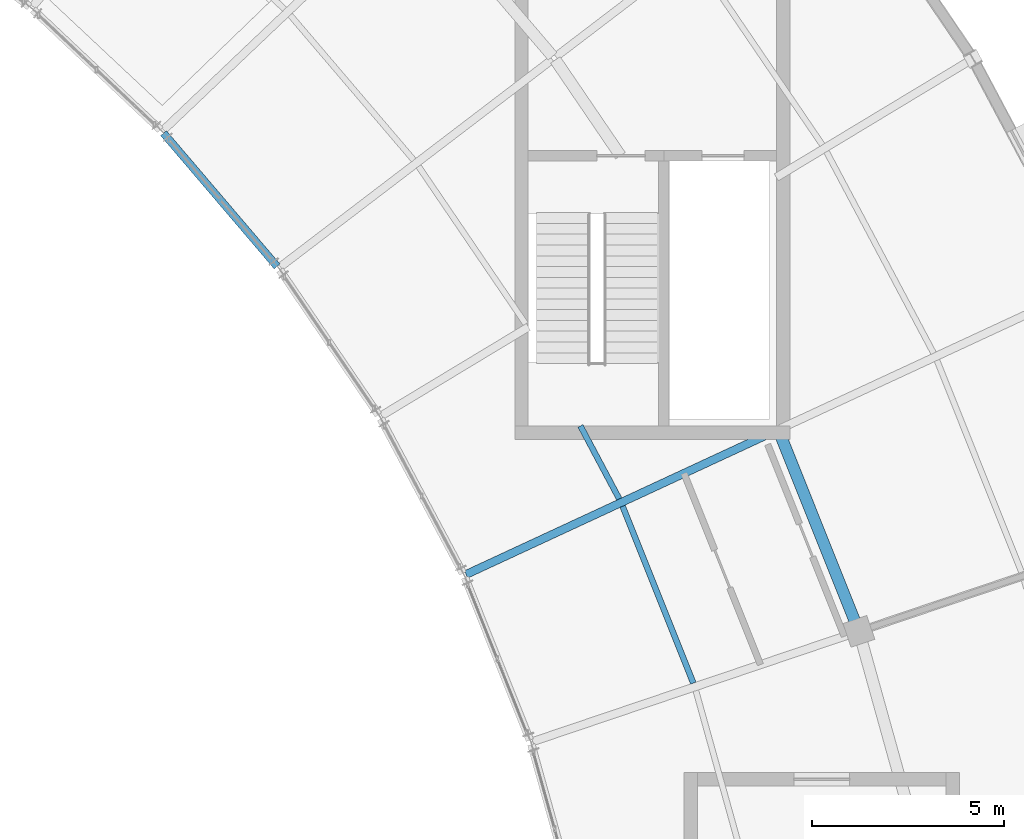
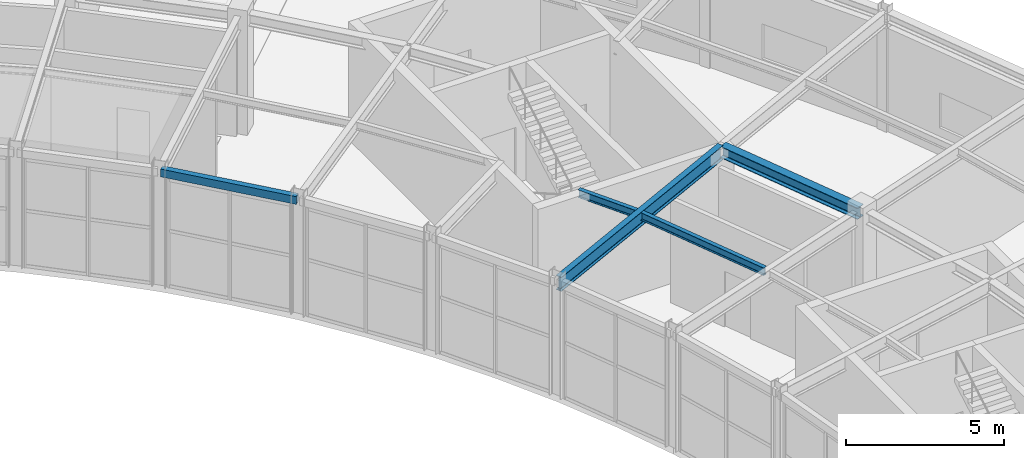
# One storey, part 73 of 108: 5 beams.
"""IFC4 building model written with IfcOpenShell, lengths in metres."""

from ifc_helpers import new_model, si_unit, direction, frame, origin, origin_2d, place, context, subcontext, project, spatial, hollow_rectangle, i_section, extrude, material, material_profile, profile_set, type_object, element, save


model = new_model("IFC4")

# Units and contexts
model_context = context("Model", 3, precision=1e-05, world=origin(), true_north=direction((0.0, 1.0)))
body_context = subcontext(model_context, "Body", "Model", "MODEL_VIEW")
ifc_project = project(units=[si_unit("LENGTHUNIT", "METRE"), si_unit("AREAUNIT", "SQUARE_METRE"), si_unit("VOLUMEUNIT", "CUBIC_METRE"), si_unit("PLANEANGLEUNIT", "RADIAN"), si_unit("MASSUNIT", "GRAM", prefix="KILO")], contexts=[model_context])

# Site, building, storey
site_placement = place(None, origin())
site = spatial("IfcSite", under=ifc_project, at=site_placement, CompositionType="ELEMENT")
building_placement = place(site_placement, origin())
building = spatial("IfcBuilding", under=site, at=building_placement, Name="Tarnveldt Headland Concert Hall", CompositionType="ELEMENT")
storey_placement = place(building_placement, frame((0.0, 0.0, 9.60009765625)))
storey = spatial("IfcBuildingStorey", under=building, at=storey_placement, Name="L02", CompositionType="ELEMENT", Elevation=9.60009765625)

# Beams
ifc_material = material(Name="Steel S355", Category="steel")
ifc_material_profile_1 = material_profile(ifc_material, i_section(OverallWidth=0.300048828125, OverallDepth=0.43994140625, WebThickness=0.011474609375, FlangeThickness=0.02099609375, FilletRadius=0.027099609375, at=origin_2d()), Name="HEA450", Category="steel")
ifc_profile_set_1 = profile_set([ifc_material_profile_1], Name="Steel S355")
beam_type_1 = type_object("IfcBeamType", Name="SB-HEA450", PredefinedType="BEAM", material=ifc_profile_set_1)
beam_1_placement = place(storey_placement, frame((166.7421875, 76.698974609375, 4.329833984375), z_axis=(-0.370963937019, 0.928647272882, 0.0), x_axis=(-0.928647272882, -0.370963937019, 0.0)))
element("IfcBeam", 1, at=beam_1_placement, inside=storey, type_object=beam_type_1, Name="Framing beam L02-1126", PredefinedType="BEAM", context=body_context, shape_type="SweptSolid", body=[
    extrude(i_section(OverallWidth=0.300048828125, OverallDepth=0.43994140625, WebThickness=0.011474609375, FlangeThickness=0.02099609375, FilletRadius=0.027099609375, at=origin_2d()), origin(), (0.0, 0.0, 1.0), 5.5244140625),
])
ifc_material_profile_2 = material_profile(ifc_material, i_section(OverallWidth=0.14990234375, OverallDepth=0.300048828125, WebThickness=0.007080078125, FlangeThickness=0.0107421875, FilletRadius=0.014892578125, at=origin_2d()), Name="IPE300", Category="steel")
ifc_profile_set_2 = profile_set([ifc_material_profile_2], Name="Steel S355")
beam_type_2 = type_object("IfcBeamType", Name="SB-IPE300", PredefinedType="JOIST", material=ifc_profile_set_2)
beam_2_placement = place(storey_placement, frame((162.46240234375, 75.30029296875, 4.39990234375), z_axis=(-0.370999157562, 0.928633202663, 0.0), x_axis=(-0.928633202663, -0.370999157562, 0.0)))
element("IfcBeam", 2, at=beam_2_placement, inside=storey, type_object=beam_type_2, Name="Framing beam L02-1128", PredefinedType="JOIST", context=body_context, shape_type="SweptSolid", body=[
    extrude(i_section(OverallWidth=0.14990234375, OverallDepth=0.300048828125, WebThickness=0.007080078125, FlangeThickness=0.0107421875, FilletRadius=0.014892578125, at=origin_2d()), origin(), (0.0, 0.0, 1.0), 4.946044921875),
])
beam_3_placement = place(storey_placement, frame((160.539306640625, 80.08349609375, 4.39990234375), z_axis=(-0.469531916637, 0.882915499501, 0.0), x_axis=(-0.882915499501, -0.469531916637, 0.0)))
element("IfcBeam", 3, at=beam_3_placement, inside=storey, type_object=beam_type_2, Name="Framing beam L02-1134", PredefinedType="JOIST", context=body_context, shape_type="SweptSolid", body=[
    extrude(i_section(OverallWidth=0.14990234375, OverallDepth=0.300048828125, WebThickness=0.007080078125, FlangeThickness=0.0107421875, FilletRadius=0.014892578125, at=origin_2d()), origin(), (0.0, 0.0, 1.0), 2.14794921875),
])
ifc_material_profile_3 = material_profile(ifc_material, i_section(OverallWidth=0.2099609375, OverallDepth=0.550048828125, WebThickness=0.010986328125, FlangeThickness=0.01708984375, FilletRadius=0.02392578125, at=origin_2d()), Name="IPE550", Category="steel")
ifc_profile_set_3 = profile_set([ifc_material_profile_3], Name="Steel S355")
beam_type_3 = type_object("IfcBeamType", Name="SB-IPE550", PredefinedType="BEAM", material=ifc_profile_set_3)
beam_4_placement = place(storey_placement, frame((156.560791015625, 78.122314453125, 4.27490234375), z_axis=(0.907136064141, 0.420837452153, 0.0), x_axis=(-0.420837452153, 0.907136064141, 0.0)))
element("IfcBeam", 4, at=beam_4_placement, inside=storey, type_object=beam_type_3, Name="Framing beam L02-1130", PredefinedType="BEAM", context=body_context, shape_type="SweptSolid", body=[
    extrude(i_section(OverallWidth=0.2099609375, OverallDepth=0.550048828125, WebThickness=0.010986328125, FlangeThickness=0.01708984375, FilletRadius=0.02392578125, at=origin_2d()), origin(), (0.0, 0.0, 1.0), 8.880126953125),
])
ifc_material_profile_4 = material_profile(ifc_material, hollow_rectangle(XDim=0.199951171875, YDim=0.300048828125, WallThickness=0.012451171875, at=origin_2d()), Name="RHS 300x200x12.5", Category="steel")
ifc_profile_set_4 = profile_set([ifc_material_profile_4], Name="Steel S355")
beam_type_4 = type_object("IfcBeamType", Name="SB-RHS300", PredefinedType="SPANDREL", material=ifc_profile_set_4)
beam_5_placement = place(storey_placement, frame((151.6513671875, 86.123046875, 4.39990234375), z_axis=(-0.648715315983, 0.761031168093, 0.0), x_axis=(-0.761031168093, -0.648715315983, 0.0)))
element("IfcBeam", 5, at=beam_5_placement, inside=storey, type_object=beam_type_4, Name="Framing beam L02-1145", PredefinedType="SPANDREL", context=body_context, shape_type="SweptSolid", body=[
    extrude(hollow_rectangle(XDim=0.199951171875, YDim=0.300048828125, WallThickness=0.012451171875, at=origin_2d()), origin(), (0.0, 0.0, 1.0), 4.54736328125),
])

save(model, "model.ifc")
